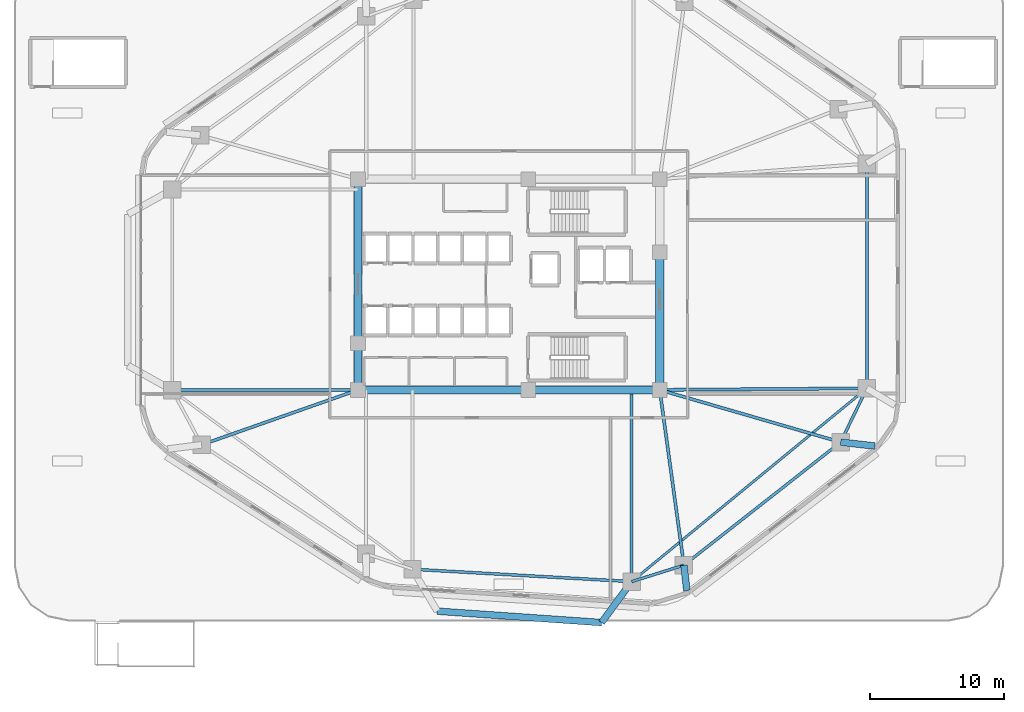
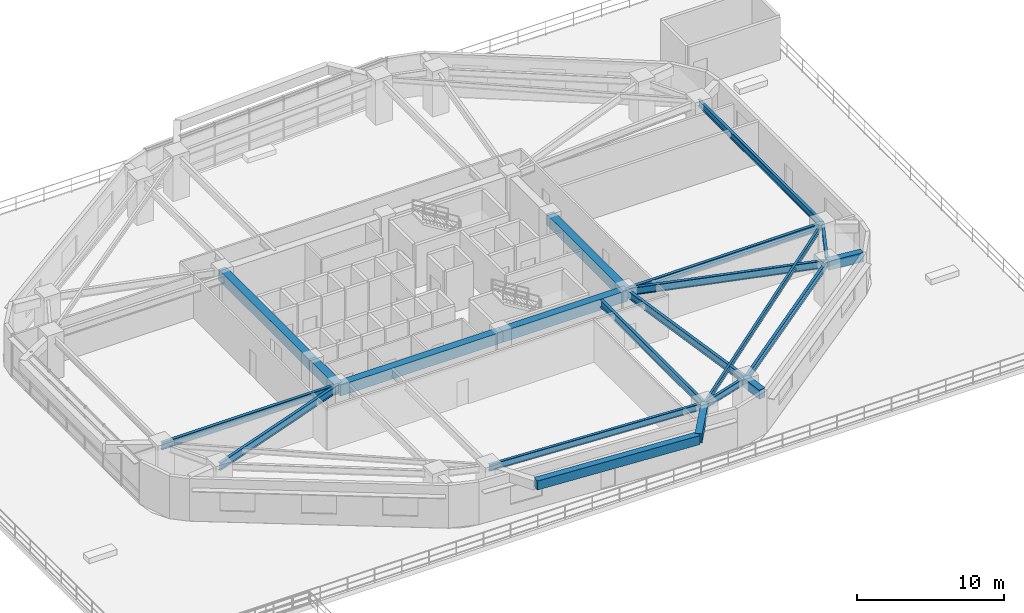
# One storey, part 5 of 20: 21 beams.
"""IFC4 building model written with IfcOpenShell, lengths in metres."""

from ifc_helpers import new_model, si_unit, direction, frame, origin, origin_2d, place, context, subcontext, project, spatial, rectangle, i_section, extrude, material, material_profile, profile_set, type_object, element, save


model = new_model("IFC4")

# Units and contexts
model_context = context("Model", 3, precision=1e-05, world=origin(), true_north=direction((0.0, 1.0)))
body_context = subcontext(model_context, "Body", "Model", "MODEL_VIEW")
ifc_project = project(units=[si_unit("LENGTHUNIT", "METRE"), si_unit("AREAUNIT", "SQUARE_METRE"), si_unit("VOLUMEUNIT", "CUBIC_METRE"), si_unit("PLANEANGLEUNIT", "RADIAN"), si_unit("MASSUNIT", "GRAM", prefix="KILO")], contexts=[model_context])

# Site, building, storey
site_placement = place(None, origin())
site = spatial("IfcSite", under=ifc_project, at=site_placement, CompositionType="ELEMENT")
building_placement = place(site_placement, origin())
building = spatial("IfcBuilding", under=site, at=building_placement, Name="Zulverin Broadcast Headquarters", CompositionType="ELEMENT")
storey_placement = place(building_placement, frame((0.0, 0.0, 25.0)))
storey = spatial("IfcBuildingStorey", under=building, at=storey_placement, Name="L05", CompositionType="ELEMENT", Elevation=25.0)

# Beams
ifc_material_1 = material(Name="Concrete C60/75", Category="concrete")
ifc_material_profile_1 = material_profile(ifc_material_1, rectangle(XDim=0.60009765625, YDim=0.89990234375, at=origin_2d()), Name="Concrete C60/75", Category="concrete")
ifc_profile_set_1 = profile_set([ifc_material_profile_1], Name="Concrete C60/75")
beam_type_1 = type_object("IfcBeamType", Name="BM-CB-600x900", PredefinedType="LINTEL", material=ifc_profile_set_1)
beam_1_placement = place(storey_placement, frame((25.72509765625, 17.324951171875, 3.074951171875), z_axis=(1.0, 0.0, 0.0), x_axis=(0.0, 1.0, 0.0)))
element("IfcBeam", 1, at=beam_1_placement, inside=storey, type_object=beam_type_1, Name="L05 Core Coupling Girder K01-K02", PredefinedType="LINTEL", context=body_context, shape_type="SweptSolid", body=[
    extrude(rectangle(XDim=0.60009765625, YDim=0.89990234375, at=origin_2d()), origin(), (0.0, 0.0, 1.0), 12.724853515625),
])
beam_2_placement = place(storey_placement, frame((38.449951171875, 17.324951171875, 3.074951171875), z_axis=(1.0, 0.0, 0.0), x_axis=(0.0, 1.0, 0.0)))
element("IfcBeam", 2, at=beam_2_placement, inside=storey, type_object=beam_type_1, Name="L05 Core Coupling Girder K02-K03", PredefinedType="LINTEL", context=body_context, shape_type="SweptSolid", body=[
    extrude(rectangle(XDim=0.60009765625, YDim=0.89990234375, at=origin_2d()), origin(), (0.0, 0.0, 1.0), 9.824951171875),
])
beam_3_placement = place(storey_placement, frame((48.27490234375, 17.324951171875, 3.074951171875), z_axis=(0.0, 1.0, 0.0), x_axis=(-1.0, 0.0, 0.0)))
element("IfcBeam", 3, at=beam_3_placement, inside=storey, type_object=beam_type_1, Name="L05 Core Coupling Girder K03-K04", PredefinedType="LINTEL", context=body_context, shape_type="SweptSolid", body=[
    extrude(rectangle(XDim=0.60009765625, YDim=0.89990234375, at=origin_2d()), origin(), (0.0, 0.0, 1.0), 10.295166015625),
])
beam_4_placement = place(storey_placement, frame((25.72509765625, 33.074951171875, 3.074951171875), z_axis=(0.0, -1.0, 0.0), x_axis=(1.0, 0.0, 0.0)))
element("IfcBeam", 4, at=beam_4_placement, inside=storey, type_object=beam_type_1, Name="L05 Core Coupling Girder K07-K08", PredefinedType="LINTEL", context=body_context, shape_type="SweptSolid", body=[
    extrude(rectangle(XDim=0.60009765625, YDim=0.89990234375, at=origin_2d()), origin(), (0.0, 0.0, 1.0), 12.27490234375),
])
beam_5_placement = place(storey_placement, frame((25.72509765625, 20.800048828125, 3.074951171875), z_axis=(0.0, -1.0, 0.0), x_axis=(1.0, 0.0, 0.0)))
element("IfcBeam", 5, at=beam_5_placement, inside=storey, type_object=beam_type_1, Name="L05 Core Coupling Girder K08-K01", PredefinedType="LINTEL", context=body_context, shape_type="SweptSolid", body=[
    extrude(rectangle(XDim=0.60009765625, YDim=0.89990234375, at=origin_2d()), origin(), (0.0, 0.0, 1.0), 3.47509765625),
])
ifc_material_2 = material(Name="Concrete C40/50", Category="concrete")
ifc_material_profile_2 = material_profile(ifc_material_2, rectangle(XDim=0.5, YDim=0.75, at=origin_2d()), Name="Concrete C40/50", Category="concrete")
ifc_profile_set_2 = profile_set([ifc_material_profile_2], Name="Concrete C40/50")
beam_type_2 = type_object("IfcBeamType", Name="BM-RC-500x750", PredefinedType="BEAM", material=ifc_profile_set_2)
beam_6_placement = place(storey_placement, frame((50.08056640625, 4.22509765625, 3.14990234375), z_axis=(0.115916621896, -0.99325894749, 0.0), x_axis=(0.99325894749, 0.115916621896, 0.0)))
element("IfcBeam", 6, at=beam_6_placement, inside=storey, type_object=beam_type_2, Name="L06 Plate Overhang Back-Spanned Beam OVR-03", PredefinedType="BEAM", context=body_context, shape_type="SweptSolid", body=[
    extrude(rectangle(XDim=0.5, YDim=0.75, at=origin_2d()), origin(), (0.0, 0.0, 1.0), 1.899658203125),
])
beam_7_placement = place(storey_placement, frame((61.79296875, 13.416259765625, 3.14990234375), z_axis=(0.993797661948, -0.111203449166, 0.0), x_axis=(0.111203449166, 0.993797661948, 0.0)))
element("IfcBeam", 7, at=beam_7_placement, inside=storey, type_object=beam_type_2, Name="L06 Plate Overhang Back-Spanned Beam OVR-04", PredefinedType="BEAM", context=body_context, shape_type="SweptSolid", body=[
    extrude(rectangle(XDim=0.5, YDim=0.75, at=origin_2d()), origin(), (0.0, 0.0, 1.0), 2.568603515625),
])
beam_8_placement = place(storey_placement, frame((46.175048828125, 2.997802734375, 3.14990234375), z_axis=(-0.592479980496, -0.805585174088, 0.0), x_axis=(0.805585174088, -0.592479980496, 0.0)))
element("IfcBeam", 8, at=beam_8_placement, inside=storey, type_object=beam_type_2, Name="L06 Balcony Column-Framed Cantilever BAL_S-2", PredefinedType="BEAM", context=body_context, shape_type="SweptSolid", body=[
    extrude(rectangle(XDim=0.5, YDim=0.75, at=origin_2d()), origin(), (0.0, 0.0, 1.0), 3.800048828125),
])
beam_9_placement = place(storey_placement, frame((31.651123046875, 0.787841796875, 3.14990234375), z_axis=(0.997602675733, -0.069201888483, 0.0), x_axis=(0.069201888483, 0.997602675733, 0.0)))
element("IfcBeam", 9, at=beam_9_placement, inside=storey, type_object=beam_type_2, Name="L06 Balcony Outer Edge Trimmer Beam BAL_S", PredefinedType="BEAM", context=body_context, shape_type="SweptSolid", body=[
    extrude(rectangle(XDim=0.5, YDim=0.75, at=origin_2d()), origin(), (0.0, 0.0, 1.0), 12.302001953125),
])
ifc_material_3 = material(Name="Structural steel S355JR", Category="steel")
ifc_material_profile_3 = material_profile(ifc_material_3, i_section(OverallWidth=0.179443359375, OverallDepth=0.412841796875, WebThickness=0.009521484375, FlangeThickness=0.01611328125, at=origin_2d()), Name="Structural steel S355JR", Category="steel")
ifc_profile_set_3 = profile_set([ifc_material_profile_3], Name="Structural steel S355JR")
beam_type_3 = type_object("IfcBeamType", Name="BM-UB-406", PredefinedType="JOIST", material=ifc_profile_set_3)
beam_10_placement = place(storey_placement, frame((46.175048828125, 2.997802734375, 3.318603515625), z_axis=(0.772611370623, 0.634879256224, 0.0), x_axis=(-0.634879256224, 0.772611370623, 0.0)))
element("IfcBeam", 10, at=beam_10_placement, inside=storey, type_object=beam_type_3, Name="L05 Chordal Floor Joist J-01", PredefinedType="JOIST", context=body_context, shape_type="SweptSolid", body=[
    extrude(i_section(OverallWidth=0.179443359375, OverallDepth=0.412841796875, WebThickness=0.009521484375, FlangeThickness=0.01611328125, at=origin_2d()), origin(), (0.0, 0.0, 1.0), 22.74755859375),
])
ifc_material_profile_4 = material_profile(ifc_material_3, i_section(OverallWidth=0.2119140625, OverallDepth=0.54443359375, WebThickness=0.0126953125, FlangeThickness=0.021240234375, at=origin_2d()), Name="Structural steel S355JR", Category="steel")
ifc_profile_set_4 = profile_set([ifc_material_profile_4], Name="Structural steel S355JR")
beam_type_4 = type_object("IfcBeamType", Name="BM-UB-533", PredefinedType="SPANDREL", material=ifc_profile_set_4)
beam_11_placement = place(storey_placement, frame((29.79638671875, 3.922119140625, 3.252685546875), z_axis=(0.998411385104, -0.056344530297, 0.0), x_axis=(0.056344530297, 0.998411385104, 0.0)))
element("IfcBeam", 11, at=beam_11_placement, inside=storey, type_object=beam_type_4, Name="L05 Perimeter Spandrel Beam SP-01", PredefinedType="SPANDREL", context=body_context, shape_type="SweptSolid", body=[
    extrude(i_section(OverallWidth=0.2119140625, OverallDepth=0.54443359375, WebThickness=0.0126953125, FlangeThickness=0.021240234375, at=origin_2d()), origin(), (0.0, 0.0, 1.0), 16.40478515625),
])
beam_12_placement = place(storey_placement, frame((46.175048828125, 2.997802734375, 3.252685546875), z_axis=(0.954004438448, 0.299792480595, 0.0), x_axis=(-0.299792480595, 0.954004438448, 0.0)))
element("IfcBeam", 12, at=beam_12_placement, inside=storey, type_object=beam_type_4, Name="L05 Perimeter Spandrel Beam SP-02", PredefinedType="SPANDREL", context=body_context, shape_type="SweptSolid", body=[
    extrude(i_section(OverallWidth=0.2119140625, OverallDepth=0.54443359375, WebThickness=0.0126953125, FlangeThickness=0.021240234375, at=origin_2d()), origin(), (0.0, 0.0, 1.0), 4.09375),
])
beam_13_placement = place(storey_placement, frame((50.08056640625, 4.22509765625, 3.252685546875), z_axis=(0.786691476208, 0.617346354376, 0.0), x_axis=(-0.617346354376, 0.786691476208, 0.0)))
element("IfcBeam", 13, at=beam_13_placement, inside=storey, type_object=beam_type_4, Name="L05 Perimeter Spandrel Beam SP-03", PredefinedType="SPANDREL", context=body_context, shape_type="SweptSolid", body=[
    extrude(i_section(OverallWidth=0.2119140625, OverallDepth=0.54443359375, WebThickness=0.0126953125, FlangeThickness=0.021240234375, at=origin_2d()), origin(), (0.0, 0.0, 1.0), 14.88818359375),
])
beam_14_placement = place(storey_placement, frame((61.79296875, 13.416259765625, 3.252685546875), z_axis=(0.437408475872, 0.899262934428, 0.0), x_axis=(-0.899262934428, 0.437408475872, 0.0)))
element("IfcBeam", 14, at=beam_14_placement, inside=storey, type_object=beam_type_4, Name="L05 Perimeter Spandrel Beam SP-04", PredefinedType="SPANDREL", context=body_context, shape_type="SweptSolid", body=[
    extrude(i_section(OverallWidth=0.2119140625, OverallDepth=0.54443359375, WebThickness=0.0126953125, FlangeThickness=0.021240234375, at=origin_2d()), origin(), (0.0, 0.0, 1.0), 4.47412109375),
])
beam_15_placement = place(storey_placement, frame((63.75, 17.439697265625, 3.252685546875), z_axis=(0.0, 1.0, 0.0), x_axis=(-1.0, 0.0, 0.0)))
element("IfcBeam", 15, at=beam_15_placement, inside=storey, type_object=beam_type_4, Name="L05 Perimeter Spandrel Beam SP-05", PredefinedType="SPANDREL", context=body_context, shape_type="SweptSolid", body=[
    extrude(i_section(OverallWidth=0.2119140625, OverallDepth=0.54443359375, WebThickness=0.0126953125, FlangeThickness=0.021240234375, at=origin_2d()), origin(), (0.0, 0.0, 1.0), 16.79541015625),
])
ifc_material_profile_5 = material_profile(ifc_material_3, i_section(OverallWidth=0.230224609375, OverallDepth=0.6171875, WebThickness=0.01318359375, FlangeThickness=0.022216796875, at=origin_2d()), Name="Structural steel S355JR", Category="steel")
ifc_profile_set_5 = profile_set([ifc_material_profile_5], Name="Structural steel S355JR")
beam_type_5 = type_object("IfcBeamType", Name="BM-UB-610", PredefinedType="BEAM", material=ifc_profile_set_5)
beam_16_placement = place(storey_placement, frame((46.175048828125, 17.324951171875, 3.21630859375), z_axis=(0.0, -1.0, 0.0), x_axis=(1.0, 0.0, 0.0)))
element("IfcBeam", 16, at=beam_16_placement, inside=storey, type_object=beam_type_5, Name="L05 Radial Primary Floor Beam RB-02", PredefinedType="BEAM", context=body_context, shape_type="SweptSolid", body=[
    extrude(i_section(OverallWidth=0.230224609375, OverallDepth=0.6171875, WebThickness=0.01318359375, FlangeThickness=0.022216796875, at=origin_2d()), origin(), (0.0, 0.0, 1.0), 14.3271484375),
])
beam_17_placement = place(storey_placement, frame((48.27490234375, 17.324951171875, 3.21630859375), z_axis=(0.136547433081, -0.990633533916, 0.0), x_axis=(0.990633533916, 0.136547433081, 0.0)))
element("IfcBeam", 17, at=beam_17_placement, inside=storey, type_object=beam_type_5, Name="L05 Radial Primary Floor Beam RB-03", PredefinedType="BEAM", context=body_context, shape_type="SweptSolid", body=[
    extrude(i_section(OverallWidth=0.230224609375, OverallDepth=0.6171875, WebThickness=0.01318359375, FlangeThickness=0.022216796875, at=origin_2d()), origin(), (0.0, 0.0, 1.0), 13.2236328125),
])
beam_18_placement = place(storey_placement, frame((48.27490234375, 17.324951171875, 3.21630859375), z_axis=(0.960648363311, -0.277767388416, 0.0), x_axis=(0.277767388416, 0.960648363311, 0.0)))
element("IfcBeam", 18, at=beam_18_placement, inside=storey, type_object=beam_type_5, Name="L05 Radial Primary Floor Beam RB-04", PredefinedType="BEAM", context=body_context, shape_type="SweptSolid", body=[
    extrude(i_section(OverallWidth=0.230224609375, OverallDepth=0.6171875, WebThickness=0.01318359375, FlangeThickness=0.022216796875, at=origin_2d()), origin(), (0.0, 0.0, 1.0), 14.07177734375),
])
beam_19_placement = place(storey_placement, frame((48.27490234375, 17.324951171875, 3.21630859375), z_axis=(0.999972510862, 0.007414682739, 0.0), x_axis=(-0.007414682739, 0.999972510862, 0.0)))
element("IfcBeam", 19, at=beam_19_placement, inside=storey, type_object=beam_type_5, Name="L05 Radial Primary Floor Beam RB-05", PredefinedType="BEAM", context=body_context, shape_type="SweptSolid", body=[
    extrude(i_section(OverallWidth=0.230224609375, OverallDepth=0.6171875, WebThickness=0.01318359375, FlangeThickness=0.022216796875, at=origin_2d()), origin(), (0.0, 0.0, 1.0), 15.4755859375),
])
beam_20_placement = place(storey_placement, frame((25.72509765625, 17.324951171875, 3.21630859375), z_axis=(-0.999998058136, -0.001970716894, 0.0), x_axis=(0.001970716894, -0.999998058136, 0.0)))
element("IfcBeam", 20, at=beam_20_placement, inside=storey, type_object=beam_type_5, Name="L05 Radial Primary Floor Beam RB-14", PredefinedType="BEAM", context=body_context, shape_type="SweptSolid", body=[
    extrude(i_section(OverallWidth=0.230224609375, OverallDepth=0.6171875, WebThickness=0.01318359375, FlangeThickness=0.022216796875, at=origin_2d()), origin(), (0.0, 0.0, 1.0), 13.875),
])
beam_21_placement = place(storey_placement, frame((25.72509765625, 17.324951171875, 3.21630859375), z_axis=(-0.943483462345, -0.331419607569, 0.0), x_axis=(0.331419607569, -0.943483462345, 0.0)))
element("IfcBeam", 21, at=beam_21_placement, inside=storey, type_object=beam_type_5, Name="L05 Radial Primary Floor Beam RB-15", PredefinedType="BEAM", context=body_context, shape_type="SweptSolid", body=[
    extrude(i_section(OverallWidth=0.230224609375, OverallDepth=0.6171875, WebThickness=0.01318359375, FlangeThickness=0.022216796875, at=origin_2d()), origin(), (0.0, 0.0, 1.0), 12.385986328125),
])

save(model, "model.ifc")
